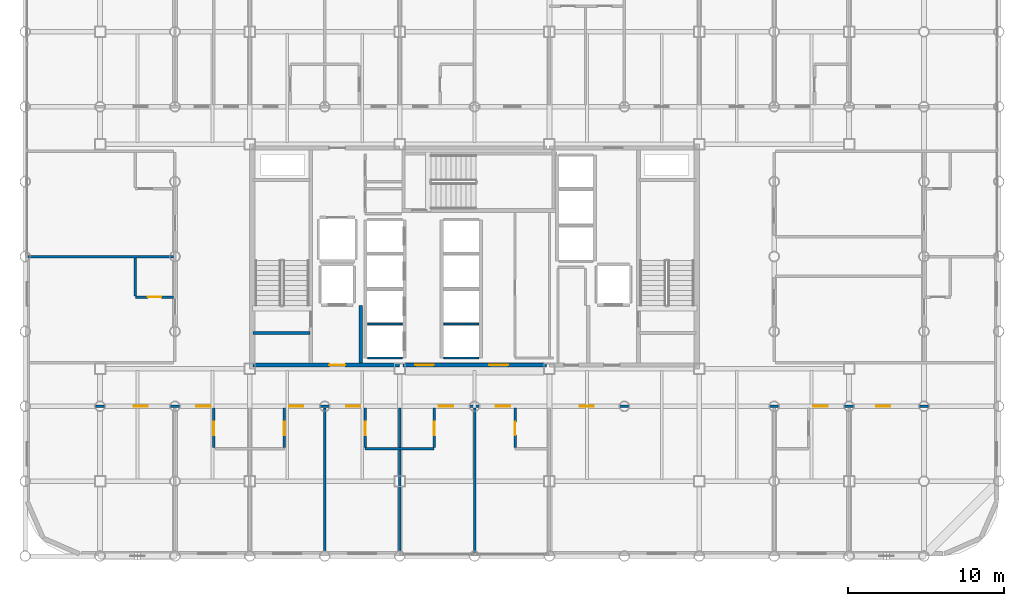
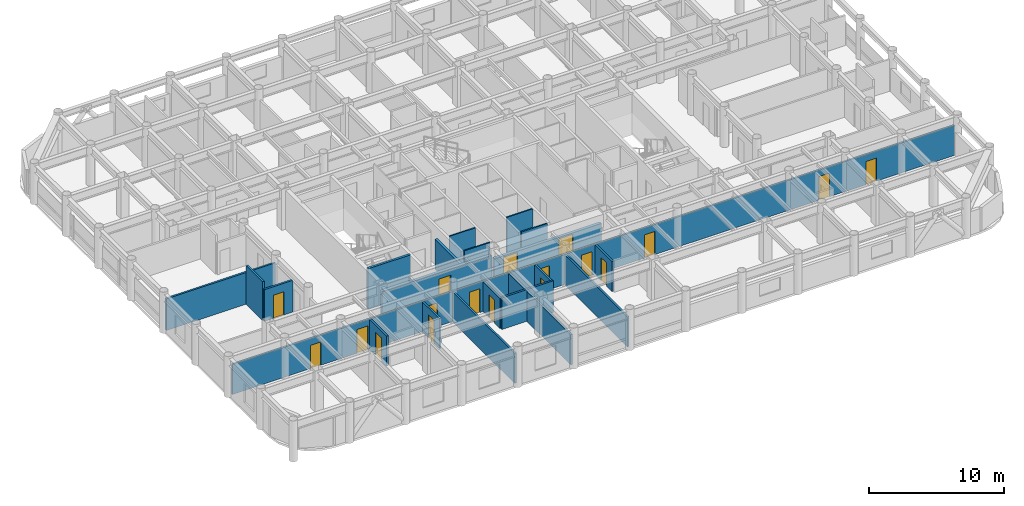
# One storey, part 17 of 22: 21 walls, 18 doors, 18 openings.
"""IFC4 building model written with IfcOpenShell, lengths in metres."""

from ifc_helpers import new_model, si_unit, direction, frame, frame_2d, origin, place, context, subcontext, project, spatial, rectangle, extrude, material, layer, layer_set, type_object, element, fill, save


model = new_model("IFC4")

# Units and contexts
model_context = context("Model", 3, precision=1e-05, world=origin(), true_north=direction((0.0, 1.0)))
body_context = subcontext(model_context, "Body", "Model", "MODEL_VIEW")
ifc_project = project(units=[si_unit("LENGTHUNIT", "METRE"), si_unit("AREAUNIT", "SQUARE_METRE"), si_unit("VOLUMEUNIT", "CUBIC_METRE"), si_unit("PLANEANGLEUNIT", "RADIAN"), si_unit("MASSUNIT", "GRAM", prefix="KILO")], contexts=[model_context])

# Site, building, storey
site_placement = place(None, origin())
site = spatial("IfcSite", under=ifc_project, at=site_placement, CompositionType="ELEMENT")
building_placement = place(site_placement, origin())
building = spatial("IfcBuilding", under=site, at=building_placement, Name="Kallvorn Hotel Tower", CompositionType="ELEMENT")
storey_placement = place(building_placement, frame((0.0, 0.0, 113.699951171875)))
storey = spatial("IfcBuildingStorey", under=building, at=storey_placement, Name="L27", CompositionType="ELEMENT", Elevation=113.699951171875)

# Wall
ifc_material_1 = material(Name="Fire-rated double-layer acoustic gypsum drywall EI 60")
ifc_layer_1 = layer(ifc_material_1, 0.159912109375)
ifc_layer_set_1 = layer_set([ifc_layer_1], Name="WL_DEMISE_160")
wall_type_1 = type_object("IfcWallType", Name="WL_DEMISE_160", PredefinedType="PARTITIONING", material=ifc_layer_set_1)
wall_1_placement = place(storey_placement, frame((-7.010009765625, -12.320068359375, 0.0), z_axis=(0.0, 0.0, 1.0), x_axis=(1.0, 0.0, 0.0)))
element("IfcWall", 1, at=wall_1_placement, inside=storey, type_object=wall_type_1, Name="L27 Suite 2707 Superior Twin Room Partition", PredefinedType="PARTITIONING", context=body_context, shape_type="SweptSolid", body=[
    extrude(rectangle(XDim=4.419921875, YDim=0.159912109375, at=frame_2d((2.2099609375, 0.0))), origin(), (0.0, 0.0, 1.0), 2.8701171875),
])

# Wall, openings, doors
wall_2_placement = place(storey_placement, frame((-28.510009765625, -9.60009765625, 0.0), z_axis=(0.0, 0.0, 1.0), x_axis=(1.0, 0.0, 0.0)))
wall_2 = element("IfcWall", 2, at=wall_2_placement, inside=storey, type_object=wall_type_1, Name="L27 Suite 2705 Superior Twin Room Partition", PredefinedType="PARTITIONING", context=body_context, shape_type="SweptSolid", body=[
    extrude(rectangle(XDim=61.820068359375, YDim=0.159912109375, at=frame_2d((30.91015625, 0.0))), origin(), (0.0, 0.0, 1.0), 2.719970703125),
])
opening_1_placement = place(wall_2_placement, frame((6.679443359375, 0.0, 0.0)))
opening_1 = element("IfcOpeningElement", 3, at=opening_1_placement, cuts=wall_2, Name="Opening SVD1", PredefinedType="OPENING", context=body_context, shape_type="SweptSolid", body=[
    extrude(rectangle(XDim=0.89990234375, YDim=2.10009765625, at=frame_2d((0.449951171875, 1.050048828125))), frame((0.0, 0.094970703125, 0.0), z_axis=(0.0, -1.0, 0.0), x_axis=(1.0, 0.0, 0.0)), (0.0, 0.0, 1.0), 0.18994140625),
])
opening_2_placement = place(wall_2_placement, frame((54.240478515625, 0.0, 0.0)))
opening_2 = element("IfcOpeningElement", 4, at=opening_2_placement, cuts=wall_2, Name="Opening SVD1", PredefinedType="OPENING", context=body_context, shape_type="SweptSolid", body=[
    extrude(rectangle(XDim=0.89990234375, YDim=2.10009765625, at=frame_2d((0.449951171875, 1.050048828125))), frame((0.0, 0.094970703125, 0.0), z_axis=(0.0, -1.0, 0.0), x_axis=(1.0, 0.0, 0.0)), (0.0, 0.0, 1.0), 0.18994140625),
])
opening_3_placement = place(wall_2_placement, frame((10.679931640625, 0.0, 0.0)))
opening_3 = element("IfcOpeningElement", 5, at=opening_3_placement, cuts=wall_2, Name="Opening GD1", PredefinedType="OPENING", context=body_context, shape_type="SweptSolid", body=[
    extrude(rectangle(XDim=0.919921875, YDim=2.14990234375, at=frame_2d((0.4599609375, 1.074951171875))), frame((0.0, 0.094970703125, 0.0), z_axis=(0.0, -1.0, 0.0), x_axis=(1.0, 0.0, 0.0)), (0.0, 0.0, 1.0), 0.18994140625),
])
opening_4_placement = place(wall_2_placement, frame((16.6201171875, 0.0, 0.0)))
opening_4 = element("IfcOpeningElement", 6, at=opening_4_placement, cuts=wall_2, Name="Opening GD1", PredefinedType="OPENING", context=body_context, shape_type="SweptSolid", body=[
    extrude(rectangle(XDim=0.919921875, YDim=2.14990234375, at=frame_2d((0.4599609375, 1.074951171875))), frame((0.0, 0.094970703125, 0.0), z_axis=(0.0, -1.0, 0.0), x_axis=(1.0, 0.0, 0.0)), (0.0, 0.0, 1.0), 0.18994140625),
])
opening_5_placement = place(wall_2_placement, frame((20.280029296875, 0.0, 0.0)))
opening_5 = element("IfcOpeningElement", 7, at=opening_5_placement, cuts=wall_2, Name="Opening GD1", PredefinedType="OPENING", context=body_context, shape_type="SweptSolid", body=[
    extrude(rectangle(XDim=0.919921875, YDim=2.14990234375, at=frame_2d((0.4599609375, 1.074951171875))), frame((0.0, 0.094970703125, 0.0), z_axis=(0.0, -1.0, 0.0), x_axis=(1.0, 0.0, 0.0)), (0.0, 0.0, 1.0), 0.18994140625),
])
opening_6_placement = place(wall_2_placement, frame((26.219970703125, 0.0, 0.0)))
opening_6 = element("IfcOpeningElement", 8, at=opening_6_placement, cuts=wall_2, Name="Opening GD1", PredefinedType="OPENING", context=body_context, shape_type="SweptSolid", body=[
    extrude(rectangle(XDim=0.919921875, YDim=2.14990234375, at=frame_2d((0.4599609375, 1.074951171875))), frame((0.0, 0.094970703125, 0.0), z_axis=(0.0, -1.0, 0.0), x_axis=(1.0, 0.0, 0.0)), (0.0, 0.0, 1.0), 0.18994140625),
])
opening_7_placement = place(wall_2_placement, frame((29.8798828125, 0.0, 0.0)))
opening_7 = element("IfcOpeningElement", 9, at=opening_7_placement, cuts=wall_2, Name="Opening GD1", PredefinedType="OPENING", context=body_context, shape_type="SweptSolid", body=[
    extrude(rectangle(XDim=0.919921875, YDim=2.14990234375, at=frame_2d((0.4599609375, 1.074951171875))), frame((0.0, 0.094970703125, 0.0), z_axis=(0.0, -1.0, 0.0), x_axis=(1.0, 0.0, 0.0)), (0.0, 0.0, 1.0), 0.18994140625),
])
opening_8_placement = place(wall_2_placement, frame((35.260009765625, 0.0, 0.0)))
opening_8 = element("IfcOpeningElement", 10, at=opening_8_placement, cuts=wall_2, Name="Opening SVD1", PredefinedType="OPENING", context=body_context, shape_type="SweptSolid", body=[
    extrude(rectangle(XDim=0.89990234375, YDim=2.10009765625, at=frame_2d((0.449951171875, 1.050048828125))), frame((0.0, 0.094970703125, 0.0), z_axis=(0.0, -1.0, 0.0), x_axis=(1.0, 0.0, 0.0)), (0.0, 0.0, 1.0), 0.18994140625),
])
opening_9_placement = place(wall_2_placement, frame((50.219970703125, 0.0, 0.0)))
opening_9 = element("IfcOpeningElement", 11, at=opening_9_placement, cuts=wall_2, Name="Opening GD1", PredefinedType="OPENING", context=body_context, shape_type="SweptSolid", body=[
    extrude(rectangle(XDim=0.919921875, YDim=2.14990234375, at=frame_2d((0.4599609375, 1.074951171875))), frame((0.0, 0.094970703125, 0.0), z_axis=(0.0, -1.0, 0.0), x_axis=(1.0, 0.0, 0.0)), (0.0, 0.0, 1.0), 0.18994140625),
])
ifc_material_2 = material(Name="Solid-core walnut veneer fire-rated timber door leaf", Category="wood")
door_type_1 = type_object("IfcDoorType", Name="DR_GUEST_920x2150", OperationType="NOTDEFINED", PredefinedType="DOOR", material=ifc_material_2)
door_1_placement = place(opening_3_placement, origin())
door_1 = element("IfcDoor", 12, at=door_1_placement, inside=storey, type_object=door_type_1, Name="L27 Suite 2705 Superior Twin Room Door", OperationType="SINGLE_SWING_RIGHT", OverallHeight=2.14990234375, OverallWidth=0.919921875, PredefinedType="DOOR", context=body_context, shape_type="SweptSolid", body=[
    extrude(rectangle(XDim=0.919921875, YDim=2.14990234375, at=frame_2d((0.4599609375, 1.074951171875))), frame((0.0, 0.02490234375, 0.0), z_axis=(0.0, -1.0, 0.0), x_axis=(1.0, 0.0, 0.0)), (0.0, 0.0, 1.0), 0.050048828125),
])
fill(opening_3, door_1)
door_2_placement = place(opening_4_placement, origin())
door_2 = element("IfcDoor", 13, at=door_2_placement, inside=storey, type_object=door_type_1, Name="L27 Suite 2706 Superior Twin Room Door", OperationType="SINGLE_SWING_RIGHT", OverallHeight=2.14990234375, OverallWidth=0.919921875, PredefinedType="DOOR", context=body_context, shape_type="SweptSolid", body=[
    extrude(rectangle(XDim=0.919921875, YDim=2.14990234375, at=frame_2d((0.4599609375, 1.074951171875))), frame((0.0, 0.02490234375, 0.0), z_axis=(0.0, -1.0, 0.0), x_axis=(1.0, 0.0, 0.0)), (0.0, 0.0, 1.0), 0.050048828125),
])
fill(opening_4, door_2)
door_3_placement = place(opening_5_placement, origin())
door_3 = element("IfcDoor", 14, at=door_3_placement, inside=storey, type_object=door_type_1, Name="L27 Suite 2707 Superior Twin Room Door", OperationType="SINGLE_SWING_RIGHT", OverallHeight=2.14990234375, OverallWidth=0.919921875, PredefinedType="DOOR", context=body_context, shape_type="SweptSolid", body=[
    extrude(rectangle(XDim=0.919921875, YDim=2.14990234375, at=frame_2d((0.4599609375, 1.074951171875))), frame((0.0, 0.02490234375, 0.0), z_axis=(0.0, -1.0, 0.0), x_axis=(1.0, 0.0, 0.0)), (0.0, 0.0, 1.0), 0.050048828125),
])
fill(opening_5, door_3)
door_4_placement = place(opening_6_placement, origin())
door_4 = element("IfcDoor", 15, at=door_4_placement, inside=storey, type_object=door_type_1, Name="L27 Suite 2708 Superior Twin Room Door", OperationType="SINGLE_SWING_LEFT", OverallHeight=2.14990234375, OverallWidth=0.919921875, PredefinedType="DOOR", context=body_context, shape_type="SweptSolid", body=[
    extrude(rectangle(XDim=0.919921875, YDim=2.14990234375, at=frame_2d((0.4599609375, 1.074951171875))), frame((0.0, 0.02490234375, 0.0), z_axis=(0.0, -1.0, 0.0), x_axis=(1.0, 0.0, 0.0)), (0.0, 0.0, 1.0), 0.050048828125),
])
fill(opening_6, door_4)
door_5_placement = place(opening_7_placement, origin())
door_5 = element("IfcDoor", 16, at=door_5_placement, inside=storey, type_object=door_type_1, Name="L27 Suite 2709 Superior Twin Room Door", OperationType="SINGLE_SWING_LEFT", OverallHeight=2.14990234375, OverallWidth=0.919921875, PredefinedType="DOOR", context=body_context, shape_type="SweptSolid", body=[
    extrude(rectangle(XDim=0.919921875, YDim=2.14990234375, at=frame_2d((0.4599609375, 1.074951171875))), frame((0.0, 0.02490234375, 0.0), z_axis=(0.0, -1.0, 0.0), x_axis=(1.0, 0.0, 0.0)), (0.0, 0.0, 1.0), 0.050048828125),
])
fill(opening_7, door_5)
door_6_placement = place(opening_9_placement, origin())
door_6 = element("IfcDoor", 17, at=door_6_placement, inside=storey, type_object=door_type_1, Name="L27 Suite 2710 Superior Twin Room Door", OperationType="SINGLE_SWING_LEFT", OverallHeight=2.14990234375, OverallWidth=0.919921875, PredefinedType="DOOR", context=body_context, shape_type="SweptSolid", body=[
    extrude(rectangle(XDim=0.919921875, YDim=2.14990234375, at=frame_2d((0.4599609375, 1.074951171875))), frame((0.0, 0.02490234375, 0.0), z_axis=(0.0, -1.0, 0.0), x_axis=(1.0, 0.0, 0.0)), (0.0, 0.0, 1.0), 0.050048828125),
])
fill(opening_9, door_6)
ifc_material_3 = material(Name="Galvanised painted steel fire-rated door assembly", Category="steel")
door_type_2 = type_object("IfcDoorType", Name="DR_SERV_900x2100", OperationType="NOTDEFINED", PredefinedType="DOOR", material=ifc_material_3)
door_7_placement = place(opening_1_placement, origin())
door_7 = element("IfcDoor", 18, at=door_7_placement, inside=storey, type_object=door_type_2, Name="L27 L27 South-West Botanical Bar Door", OperationType="SINGLE_SWING_LEFT", OverallHeight=2.10009765625, OverallWidth=0.89990234375, PredefinedType="DOOR", context=body_context, shape_type="SweptSolid", body=[
    extrude(rectangle(XDim=0.89990234375, YDim=2.10009765625, at=frame_2d((0.449951171875, 1.050048828125))), frame((0.0, 0.02490234375, 0.0), z_axis=(0.0, -1.0, 0.0), x_axis=(1.0, 0.0, 0.0)), (0.0, 0.0, 1.0), 0.050048828125),
])
fill(opening_1, door_7)
door_8_placement = place(opening_2_placement, origin())
door_8 = element("IfcDoor", 19, at=door_8_placement, inside=storey, type_object=door_type_2, Name="L27 L27 South-East Sommelier Bar Door", OperationType="SINGLE_SWING_RIGHT", OverallHeight=2.10009765625, OverallWidth=0.89990234375, PredefinedType="DOOR", context=body_context, shape_type="SweptSolid", body=[
    extrude(rectangle(XDim=0.89990234375, YDim=2.10009765625, at=frame_2d((0.449951171875, 1.050048828125))), frame((0.0, 0.02490234375, 0.0), z_axis=(0.0, -1.0, 0.0), x_axis=(1.0, 0.0, 0.0)), (0.0, 0.0, 1.0), 0.050048828125),
])
fill(opening_2, door_8)
door_9_placement = place(opening_8_placement, origin())
door_9 = element("IfcDoor", 20, at=door_9_placement, inside=storey, type_object=door_type_2, Name="L27 L27 Curated Emerald Craft Retail Boutique 6 Door", OperationType="SINGLE_SWING_RIGHT", OverallHeight=2.10009765625, OverallWidth=0.89990234375, PredefinedType="DOOR", context=body_context, shape_type="SweptSolid", body=[
    extrude(rectangle(XDim=0.89990234375, YDim=2.10009765625, at=frame_2d((0.449951171875, 1.050048828125))), frame((0.0, 0.02490234375, 0.0), z_axis=(0.0, -1.0, 0.0), x_axis=(1.0, 0.0, 0.0)), (0.0, 0.0, 1.0), 0.050048828125),
])
fill(opening_8, door_9)

# Wall, opening, door
wall_3_placement = place(storey_placement, frame((-21.72998046875, -2.60009765625, 0.0), z_axis=(0.0, 0.0, 1.0), x_axis=(1.0, 0.0, 0.0)))
wall_3 = element("IfcWall", 21, at=wall_3_placement, inside=storey, type_object=wall_type_1, Name="L27 Suite 2701 W Loggia King Room Partition", PredefinedType="PARTITIONING", context=body_context, shape_type="SweptSolid", body=[
    extrude(rectangle(XDim=2.449951171875, YDim=0.159912109375, at=frame_2d((1.22509765625, 0.0))), origin(), (0.0, 0.0, 1.0), 2.8701171875),
])
opening_10_placement = place(wall_3_placement, frame((0.794921875, 0.0, 0.0)))
opening_10 = element("IfcOpeningElement", 22, at=opening_10_placement, cuts=wall_3, Name="Opening BD-I", PredefinedType="OPENING", context=body_context, shape_type="SweptSolid", body=[
    extrude(rectangle(XDim=0.860107421875, YDim=2.10009765625, at=frame_2d((0.43017578125, 1.050048828125))), frame((0.0, 0.094970703125, 0.0), z_axis=(0.0, -1.0, 0.0), x_axis=(1.0, 0.0, 0.0)), (0.0, 0.0, 1.0), 0.18994140625),
])
ifc_material_4 = material(Name="Solid-core walnut veneer fire-rated timber door leaf", Category="wood")
door_type_3 = type_object("IfcDoorType", Name="DR_BATH_860x2100", OperationType="NOTDEFINED", PredefinedType="DOOR", material=ifc_material_4)
door_10_placement = place(opening_10_placement, origin())
door_10 = element("IfcDoor", 23, at=door_10_placement, inside=storey, type_object=door_type_3, Name="L27 Suite 2701 En-Suite Bathroom Door", OperationType="SINGLE_SWING_LEFT", OverallHeight=2.10009765625, OverallWidth=0.860107421875, PredefinedType="DOOR", context=body_context, shape_type="SweptSolid", body=[
    extrude(rectangle(XDim=0.860107421875, YDim=2.10009765625, at=frame_2d((0.43017578125, 1.050048828125))), frame((0.0, 0.02490234375, 0.0), z_axis=(0.0, -1.0, 0.0), x_axis=(1.0, 0.0, 0.0)), (0.0, 0.0, 1.0), 0.050048828125),
])
fill(opening_10, door_10)

# Walls
wall_4_placement = place(storey_placement, frame((-28.6298828125, 0.0, 0.0), z_axis=(0.0, 0.0, 1.0), x_axis=(1.0, 0.0, 0.0)))
element("IfcWall", 24, at=wall_4_placement, inside=storey, type_object=wall_type_1, Name="L27 Suite 2702 W Andean Twin Room Partition", PredefinedType="PARTITIONING", context=body_context, shape_type="SweptSolid", body=[
    extrude(rectangle(XDim=9.349853515625, YDim=0.159912109375, at=frame_2d((4.6748046875, 0.0))), origin(), (0.0, 0.0, 1.0), 2.8701171875),
])
wall_5_placement = place(storey_placement, frame((-21.72998046875, -2.514892578125, 0.0), z_axis=(0.0, 0.0, 1.0), x_axis=(0.0, 1.0, 0.0)))
element("IfcWall", 25, at=wall_5_placement, inside=storey, type_object=wall_type_1, Name="L27 Suite 2701 W Loggia King Room Partition", PredefinedType="PARTITIONING", context=body_context, shape_type="SweptSolid", body=[
    extrude(rectangle(XDim=2.414794921875, YDim=0.159912109375, at=frame_2d((1.20751953125, 0.0))), origin(), (0.0, 0.0, 1.0), 3.52001953125),
])

# Wall, opening, door
wall_6_placement = place(storey_placement, frame((-16.705078125, -12.235107421875, 0.0), z_axis=(0.0, 0.0, 1.0), x_axis=(0.0, 1.0, 0.0)))
wall_6 = element("IfcWall", 26, at=wall_6_placement, inside=storey, type_object=wall_type_1, Name="L27 Suite 2705 Superior Twin Room Partition", PredefinedType="PARTITIONING", context=body_context, shape_type="SweptSolid", body=[
    extrude(rectangle(XDim=2.51513671875, YDim=0.159912109375, at=frame_2d((1.257568359375, 0.0))), origin(), (0.0, 0.0, 1.0), 2.719970703125),
])
opening_11_placement = place(wall_6_placement, frame((0.784912109375, 0.0, 0.0)))
opening_11 = element("IfcOpeningElement", 27, at=opening_11_placement, cuts=wall_6, Name="Opening BD-I", PredefinedType="OPENING", context=body_context, shape_type="SweptSolid", body=[
    extrude(rectangle(XDim=0.860107421875, YDim=2.10009765625, at=frame_2d((0.43017578125, 1.050048828125))), frame((0.0, 0.094970703125, 0.0), z_axis=(0.0, -1.0, 0.0), x_axis=(1.0, 0.0, 0.0)), (0.0, 0.0, 1.0), 0.18994140625),
])
door_11_placement = place(opening_11_placement, origin())
door_11 = element("IfcDoor", 28, at=door_11_placement, inside=storey, type_object=door_type_3, Name="L27 Suite 2705 En-Suite Bathroom Door", OperationType="SINGLE_SWING_RIGHT", OverallHeight=2.10009765625, OverallWidth=0.860107421875, PredefinedType="DOOR", context=body_context, shape_type="SweptSolid", body=[
    extrude(rectangle(XDim=0.860107421875, YDim=2.10009765625, at=frame_2d((0.43017578125, 1.050048828125))), frame((0.0, 0.02490234375, 0.0), z_axis=(0.0, -1.0, 0.0), x_axis=(1.0, 0.0, 0.0)), (0.0, 0.0, 1.0), 0.050048828125),
])
fill(opening_11, door_11)

wall_7_placement = place(storey_placement, frame((-12.18994140625, -12.235107421875, 0.0), z_axis=(0.0, 0.0, 1.0), x_axis=(0.0, 1.0, 0.0)))
wall_7 = element("IfcWall", 29, at=wall_7_placement, inside=storey, type_object=wall_type_1, Name="L27 Suite 2706 Superior Twin Room Partition", PredefinedType="PARTITIONING", context=body_context, shape_type="SweptSolid", body=[
    extrude(rectangle(XDim=2.51513671875, YDim=0.159912109375, at=frame_2d((1.257568359375, 0.0))), origin(), (0.0, 0.0, 1.0), 2.719970703125),
])
opening_12_placement = place(wall_7_placement, frame((0.784912109375, 0.0, 0.0)))
opening_12 = element("IfcOpeningElement", 30, at=opening_12_placement, cuts=wall_7, Name="Opening BD-I", PredefinedType="OPENING", context=body_context, shape_type="SweptSolid", body=[
    extrude(rectangle(XDim=0.860107421875, YDim=2.10009765625, at=frame_2d((0.43017578125, 1.050048828125))), frame((0.0, 0.094970703125, 0.0), z_axis=(0.0, -1.0, 0.0), x_axis=(1.0, 0.0, 0.0)), (0.0, 0.0, 1.0), 0.18994140625),
])
door_12_placement = place(opening_12_placement, origin())
door_12 = element("IfcDoor", 31, at=door_12_placement, inside=storey, type_object=door_type_3, Name="L27 Suite 2706 En-Suite Bathroom Door", OperationType="SINGLE_SWING_LEFT", OverallHeight=2.10009765625, OverallWidth=0.860107421875, PredefinedType="DOOR", context=body_context, shape_type="SweptSolid", body=[
    extrude(rectangle(XDim=0.860107421875, YDim=2.10009765625, at=frame_2d((0.43017578125, 1.050048828125))), frame((0.0, 0.02490234375, 0.0), z_axis=(0.0, -1.0, 0.0), x_axis=(1.0, 0.0, 0.0)), (0.0, 0.0, 1.0), 0.050048828125),
])
fill(opening_12, door_12)

# Wall
wall_8_placement = place(storey_placement, frame((-9.60009765625, -18.909912109375, 0.0), z_axis=(0.0, 0.0, 1.0), x_axis=(0.0, 1.0, 0.0)))
element("IfcWall", 32, at=wall_8_placement, inside=storey, type_object=wall_type_1, Name="L27 Suite 2706 Superior Twin Room Partition", PredefinedType="PARTITIONING", context=body_context, shape_type="SweptSolid", body=[
    extrude(rectangle(XDim=9.18994140625, YDim=0.159912109375, at=frame_2d((4.594970703125, 0.0))), origin(), (0.0, 0.0, 1.0), 2.719970703125),
])

# Wall, opening, door
wall_9_placement = place(storey_placement, frame((-7.0048828125, -12.235107421875, 0.0), z_axis=(0.0, 0.0, 1.0), x_axis=(0.0, 1.0, 0.0)))
wall_9 = element("IfcWall", 33, at=wall_9_placement, inside=storey, type_object=wall_type_1, Name="L27 Suite 2707 Superior Twin Room Partition", PredefinedType="PARTITIONING", context=body_context, shape_type="SweptSolid", body=[
    extrude(rectangle(XDim=2.51513671875, YDim=0.159912109375, at=frame_2d((1.257568359375, 0.0))), origin(), (0.0, 0.0, 1.0), 2.719970703125),
])
opening_13_placement = place(wall_9_placement, frame((0.784912109375, 0.0, 0.0)))
opening_13 = element("IfcOpeningElement", 34, at=opening_13_placement, cuts=wall_9, Name="Opening BD-I", PredefinedType="OPENING", context=body_context, shape_type="SweptSolid", body=[
    extrude(rectangle(XDim=0.860107421875, YDim=2.10009765625, at=frame_2d((0.43017578125, 1.050048828125))), frame((0.0, 0.094970703125, 0.0), z_axis=(0.0, -1.0, 0.0), x_axis=(1.0, 0.0, 0.0)), (0.0, 0.0, 1.0), 0.18994140625),
])
door_13_placement = place(opening_13_placement, origin())
door_13 = element("IfcDoor", 35, at=door_13_placement, inside=storey, type_object=door_type_3, Name="L27 Suite 2707 En-Suite Bathroom Door", OperationType="SINGLE_SWING_LEFT", OverallHeight=2.10009765625, OverallWidth=0.860107421875, PredefinedType="DOOR", context=body_context, shape_type="SweptSolid", body=[
    extrude(rectangle(XDim=0.860107421875, YDim=2.10009765625, at=frame_2d((0.43017578125, 1.050048828125))), frame((0.0, 0.02490234375, 0.0), z_axis=(0.0, -1.0, 0.0), x_axis=(1.0, 0.0, 0.0)), (0.0, 0.0, 1.0), 0.050048828125),
])
fill(opening_13, door_13)

# Wall
wall_10_placement = place(storey_placement, frame((-4.800048828125, -18.909912109375, 0.0), z_axis=(0.0, 0.0, 1.0), x_axis=(0.0, 1.0, 0.0)))
element("IfcWall", 36, at=wall_10_placement, inside=storey, type_object=wall_type_1, Name="L27 Suite 2707 Superior Twin Room Partition", PredefinedType="PARTITIONING", context=body_context, shape_type="SweptSolid", body=[
    extrude(rectangle(XDim=9.18994140625, YDim=0.159912109375, at=frame_2d((4.594970703125, 0.0))), origin(), (0.0, 0.0, 1.0), 2.719970703125),
])

# Wall, opening, door
wall_11_placement = place(storey_placement, frame((-2.590087890625, -12.235107421875, 0.0), z_axis=(0.0, 0.0, 1.0), x_axis=(0.0, 1.0, 0.0)))
wall_11 = element("IfcWall", 37, at=wall_11_placement, inside=storey, type_object=wall_type_1, Name="L27 Suite 2708 Superior Twin Room Partition", PredefinedType="PARTITIONING", context=body_context, shape_type="SweptSolid", body=[
    extrude(rectangle(XDim=2.51513671875, YDim=0.159912109375, at=frame_2d((1.257568359375, 0.0))), origin(), (0.0, 0.0, 1.0), 2.719970703125),
])
opening_14_placement = place(wall_11_placement, frame((0.784912109375, 0.0, 0.0)))
opening_14 = element("IfcOpeningElement", 38, at=opening_14_placement, cuts=wall_11, Name="Opening BD-I", PredefinedType="OPENING", context=body_context, shape_type="SweptSolid", body=[
    extrude(rectangle(XDim=0.860107421875, YDim=2.10009765625, at=frame_2d((0.43017578125, 1.050048828125))), frame((0.0, 0.094970703125, 0.0), z_axis=(0.0, -1.0, 0.0), x_axis=(1.0, 0.0, 0.0)), (0.0, 0.0, 1.0), 0.18994140625),
])
door_14_placement = place(opening_14_placement, origin())
door_14 = element("IfcDoor", 39, at=door_14_placement, inside=storey, type_object=door_type_3, Name="L27 Suite 2708 En-Suite Bathroom Door", OperationType="SINGLE_SWING_LEFT", OverallHeight=2.10009765625, OverallWidth=0.860107421875, PredefinedType="DOOR", context=body_context, shape_type="SweptSolid", body=[
    extrude(rectangle(XDim=0.860107421875, YDim=2.10009765625, at=frame_2d((0.43017578125, 1.050048828125))), frame((0.0, 0.02490234375, 0.0), z_axis=(0.0, -1.0, 0.0), x_axis=(1.0, 0.0, 0.0)), (0.0, 0.0, 1.0), 0.050048828125),
])
fill(opening_14, door_14)

# Wall
wall_12_placement = place(storey_placement, frame((0.0, -18.9951171875, 0.0), z_axis=(0.0, 0.0, 1.0), x_axis=(0.0, 1.0, 0.0)))
element("IfcWall", 40, at=wall_12_placement, inside=storey, type_object=wall_type_1, Name="L27 Suite 2708 Superior Twin Room Partition", PredefinedType="PARTITIONING", context=body_context, shape_type="SweptSolid", body=[
    extrude(rectangle(XDim=9.275146484375, YDim=0.159912109375, at=frame_2d((4.6376953125, 0.0))), origin(), (0.0, 0.0, 1.0), 2.719970703125),
])

# Wall, opening, door
wall_13_placement = place(storey_placement, frame((2.59326171875, -12.235107421875, 0.0), z_axis=(0.0, 0.0, 1.0), x_axis=(0.0, 1.0, 0.0)))
wall_13 = element("IfcWall", 41, at=wall_13_placement, inside=storey, type_object=wall_type_1, Name="L27 Suite 2709 Superior Twin Room Partition", PredefinedType="PARTITIONING", context=body_context, shape_type="SweptSolid", body=[
    extrude(rectangle(XDim=2.51513671875, YDim=0.159912109375, at=frame_2d((1.257568359375, 0.0))), origin(), (0.0, 0.0, 1.0), 2.719970703125),
])
opening_15_placement = place(wall_13_placement, frame((0.784912109375, 0.0, 0.0)))
opening_15 = element("IfcOpeningElement", 42, at=opening_15_placement, cuts=wall_13, Name="Opening BD-I", PredefinedType="OPENING", context=body_context, shape_type="SweptSolid", body=[
    extrude(rectangle(XDim=0.860107421875, YDim=2.10009765625, at=frame_2d((0.43017578125, 1.050048828125))), frame((0.0, 0.094970703125, 0.0), z_axis=(0.0, -1.0, 0.0), x_axis=(1.0, 0.0, 0.0)), (0.0, 0.0, 1.0), 0.18994140625),
])
door_15_placement = place(opening_15_placement, origin())
door_15 = element("IfcDoor", 43, at=door_15_placement, inside=storey, type_object=door_type_3, Name="L27 Suite 2709 En-Suite Bathroom Door", OperationType="SINGLE_SWING_RIGHT", OverallHeight=2.10009765625, OverallWidth=0.860107421875, PredefinedType="DOOR", context=body_context, shape_type="SweptSolid", body=[
    extrude(rectangle(XDim=0.860107421875, YDim=2.10009765625, at=frame_2d((0.43017578125, 1.050048828125))), frame((0.0, 0.02490234375, 0.0), z_axis=(0.0, -1.0, 0.0), x_axis=(1.0, 0.0, 0.0)), (0.0, 0.0, 1.0), 0.050048828125),
])
fill(opening_15, door_15)

# Walls
ifc_material_5 = material(Name="Concrete C40/50", Category="concrete")
ifc_layer_2 = layer(ifc_material_5, 0.219970703125)
ifc_layer_set_2 = layer_set([ifc_layer_2], Name="WL_FFL_220")
wall_type_2 = type_object("IfcWallType", Name="WL_FFL_220", PredefinedType="SOLIDWALL", material=ifc_layer_set_2)
wall_14_placement = place(storey_placement, frame((-7.300048828125, -6.820068359375, 0.0), z_axis=(0.0, 0.0, 1.0), x_axis=(0.0, 1.0, 0.0)))
element("IfcWall", 44, at=wall_14_placement, inside=storey, type_object=wall_type_2, Name="L27 Firefighting Lobby West Divider Wall", PredefinedType="SOLIDWALL", context=body_context, shape_type="SweptSolid", body=[
    extrude(rectangle(XDim=3.670166015625, YDim=0.219970703125, at=frame_2d((1.8349609375, 0.0))), origin(), (0.0, 0.0, 1.0), 2.719970703125),
])
ifc_material_6 = material(Name="Concrete C40/50", Category="concrete")
ifc_layer_3 = layer(ifc_material_6, 0.199951171875)
ifc_layer_set_3 = layer_set([ifc_layer_3], Name="WL_HOIST_200")
wall_type_3 = type_object("IfcWallType", Name="WL_HOIST_200", PredefinedType="SOLIDWALL", material=ifc_layer_set_3)
wall_15_placement = place(storey_placement, frame((-14.199951171875, -4.89990234375, -0.179931640625), z_axis=(0.0, 0.0, 1.0), x_axis=(1.0, 0.0, 0.0)))
element("IfcWall", 45, at=wall_15_placement, inside=storey, type_object=wall_type_3, Name="L27 Stair ST1 South Wall", PredefinedType="SOLIDWALL", context=body_context, shape_type="SweptSolid", body=[
    extrude(rectangle(XDim=3.64990234375, YDim=0.199951171875, at=frame_2d((1.824951171875, 0.0))), origin(), (0.0, 0.0, 1.0), 3.699951171875),
])
ifc_material_7 = material(Name="Fire-rated double-layer acoustic gypsum drywall EI 60")
ifc_layer_4 = layer(ifc_material_7, 0.1201171875)
ifc_layer_set_4 = layer_set([ifc_layer_4], Name="WL_INT_120")
wall_type_4 = type_object("IfcWallType", Name="WL_INT_120", PredefinedType="PARTITIONING", material=ifc_layer_set_4)
for number, where, z_axis, x_axis, name in (
    (46, (-6.860107421875, -6.5, 0.0), (0.0, 0.0, 1.0), (1.0, 0.0, 0.0), "L27 Lift Bank B1 South Closure Wall"),
    (47, (-6.860107421875, -4.324951171875, 0.0), (0.0, 0.0, 1.0), (1.0, 0.0, 0.0), "L27 PL-01 Hoistway Divider"),
):
    element("IfcWall", number, at=place(storey_placement, frame(where, z_axis=z_axis, x_axis=x_axis)), inside=storey, type_object=wall_type_4, Name=name, PredefinedType="PARTITIONING", context=body_context, shape_type="SweptSolid", body=[
        extrude(rectangle(XDim=2.22021484375, YDim=0.1201171875, at=frame_2d((1.110107421875, 0.0))), origin(), (0.0, 0.0, 1.0), 3.52001953125),
    ])
for number, where, z_axis, x_axis, name in (
    (48, (-1.9599609375, -6.5, 0.0), (0.0, 0.0, 1.0), (1.0, 0.0, 0.0), "L27 Lift Bank B2 South Closure Wall"),
    (49, (-1.9599609375, -4.324951171875, 0.0), (0.0, 0.0, 1.0), (1.0, 0.0, 0.0), "L27 PL-05 Hoistway Divider"),
):
    element("IfcWall", number, at=place(storey_placement, frame(where, z_axis=z_axis, x_axis=x_axis)), inside=storey, type_object=wall_type_4, Name=name, PredefinedType="PARTITIONING", context=body_context, shape_type="SweptSolid", body=[
        extrude(rectangle(XDim=2.219970703125, YDim=0.1201171875, at=frame_2d((1.10986328125, 0.0))), origin(), (0.0, 0.0, 1.0), 3.52001953125),
    ])

# Wall, opening, door
ifc_material_8 = material(Name="Concrete C40/50", Category="concrete")
ifc_layer_5 = layer(ifc_material_8, 0.25)
ifc_layer_set_5 = layer_set([ifc_layer_5], Name="WL_SHAFT_250")
wall_type_5 = type_object("IfcWallType", Name="WL_SHAFT_250", PredefinedType="SOLIDWALL", material=ifc_layer_set_5)
wall_16_placement = place(storey_placement, frame((-14.199951171875, -6.949951171875, 0.0), z_axis=(0.0, 0.0, 1.0), x_axis=(1.0, 0.0, 0.0)))
wall_16 = element("IfcWall", 50, at=wall_16_placement, inside=storey, type_object=wall_type_5, Name="L27 Core South-West Wall", PredefinedType="SOLIDWALL", context=body_context, shape_type="SweptSolid", body=[
    extrude(rectangle(XDim=9.39990234375, YDim=0.25, at=frame_2d((4.699951171875, 0.0))), origin(), (0.0, 0.0, 1.0), 2.719970703125),
])
opening_16_placement = place(wall_16_placement, frame((4.89990234375, 0.0, 0.0)))
opening_16 = element("IfcOpeningElement", 51, at=opening_16_placement, cuts=wall_16, Name="Opening FD1", PredefinedType="OPENING", context=body_context, shape_type="SweptSolid", body=[
    extrude(rectangle(XDim=1.0, YDim=2.14990234375, at=frame_2d((0.5, 1.074951171875))), frame((0.0, 0.139892578125, 0.0), z_axis=(0.0, -1.0, 0.0), x_axis=(1.0, 0.0, 0.0)), (0.0, 0.0, 1.0), 0.280029296875),
])
ifc_material_9 = material(Name="Galvanised painted steel fire-rated door assembly", Category="steel")
door_type_4 = type_object("IfcDoorType", Name="DR_FFL_1000x2150", OperationType="NOTDEFINED", PredefinedType="DOOR", material=ifc_material_9)
door_16_placement = place(opening_16_placement, origin())
door_16 = element("IfcDoor", 52, at=door_16_placement, inside=storey, type_object=door_type_4, Name="L27 Firefighting Lobby West Door", OperationType="SINGLE_SWING_RIGHT", OverallHeight=2.14990234375, OverallWidth=1.0, PredefinedType="DOOR", context=body_context, shape_type="SweptSolid", body=[
    extrude(rectangle(XDim=1.0, YDim=2.14990234375, at=frame_2d((0.5, 1.074951171875))), frame((0.0, 0.02490234375, 0.0), z_axis=(0.0, -1.0, 0.0), x_axis=(1.0, 0.0, 0.0)), (0.0, 0.0, 1.0), 0.050048828125),
])
fill(opening_16, door_16)

# Wall, openings, doors
wall_17_placement = place(storey_placement, frame((-4.60009765625, -6.949951171875, 0.0), z_axis=(0.0, 0.0, 1.0), x_axis=(1.0, 0.0, 0.0)))
wall_17 = element("IfcWall", 53, at=wall_17_placement, inside=storey, type_object=wall_type_5, Name="L27 Core South-Central Wall", PredefinedType="SOLIDWALL", context=body_context, shape_type="SweptSolid", body=[
    extrude(rectangle(XDim=9.2001953125, YDim=0.25, at=frame_2d((4.60009765625, 0.0))), origin(), (0.0, 0.0, 1.0), 2.320068359375),
])
opening_17_placement = place(wall_17_placement, frame((0.800048828125, 0.0, 0.0)))
opening_17 = element("IfcOpeningElement", 54, at=opening_17_placement, cuts=wall_17, Name="Opening FD2", PredefinedType="OPENING", context=body_context, shape_type="SweptSolid", body=[
    extrude(rectangle(XDim=1.199951171875, YDim=2.199951171875, at=frame_2d((0.60009765625, 1.10009765625))), frame((0.0, 0.139892578125, 0.0), z_axis=(0.0, -1.0, 0.0), x_axis=(1.0, 0.0, 0.0)), (0.0, 0.0, 1.0), 0.280029296875),
])
opening_18_placement = place(wall_17_placement, frame((5.550048828125, 0.0, 0.0)))
opening_18 = element("IfcOpeningElement", 55, at=opening_18_placement, cuts=wall_17, Name="Opening FD2", PredefinedType="OPENING", context=body_context, shape_type="SweptSolid", body=[
    extrude(rectangle(XDim=1.199951171875, YDim=2.199951171875, at=frame_2d((0.60009765625, 1.10009765625))), frame((0.0, 0.139892578125, 0.0), z_axis=(0.0, -1.0, 0.0), x_axis=(1.0, 0.0, 0.0)), (0.0, 0.0, 1.0), 0.280029296875),
])
ifc_material_10 = material(Name="Galvanised painted steel fire-rated door assembly", Category="steel")
door_type_5 = type_object("IfcDoorType", Name="DR_LOBBY_1200x2200", OperationType="DOUBLE_DOOR_SINGLE_SWING", PredefinedType="DOOR", material=ifc_material_10)
door_17_placement = place(opening_17_placement, origin())
door_17 = element("IfcDoor", 56, at=door_17_placement, inside=storey, type_object=door_type_5, Name="L27 West Passenger Lift Lobby Door", OperationType="DOUBLE_DOOR_SINGLE_SWING", OverallHeight=2.199951171875, OverallWidth=1.199951171875, PredefinedType="DOOR", context=body_context, shape_type="SweptSolid", body=[
    extrude(rectangle(XDim=1.199951171875, YDim=2.199951171875, at=frame_2d((0.60009765625, 1.10009765625))), frame((0.0, 0.02490234375, 0.0), z_axis=(0.0, -1.0, 0.0), x_axis=(1.0, 0.0, 0.0)), (0.0, 0.0, 1.0), 0.050048828125),
])
fill(opening_17, door_17)
door_18_placement = place(opening_18_placement, origin())
door_18 = element("IfcDoor", 57, at=door_18_placement, inside=storey, type_object=door_type_5, Name="L27 East Passenger Lift Lobby Door", OperationType="DOUBLE_DOOR_SINGLE_SWING", OverallHeight=2.199951171875, OverallWidth=1.199951171875, PredefinedType="DOOR", context=body_context, shape_type="SweptSolid", body=[
    extrude(rectangle(XDim=1.199951171875, YDim=2.199951171875, at=frame_2d((0.60009765625, 1.10009765625))), frame((0.0, 0.02490234375, 0.0), z_axis=(0.0, -1.0, 0.0), x_axis=(1.0, 0.0, 0.0)), (0.0, 0.0, 1.0), 0.050048828125),
])
fill(opening_18, door_18)

save(model, "model.ifc")
